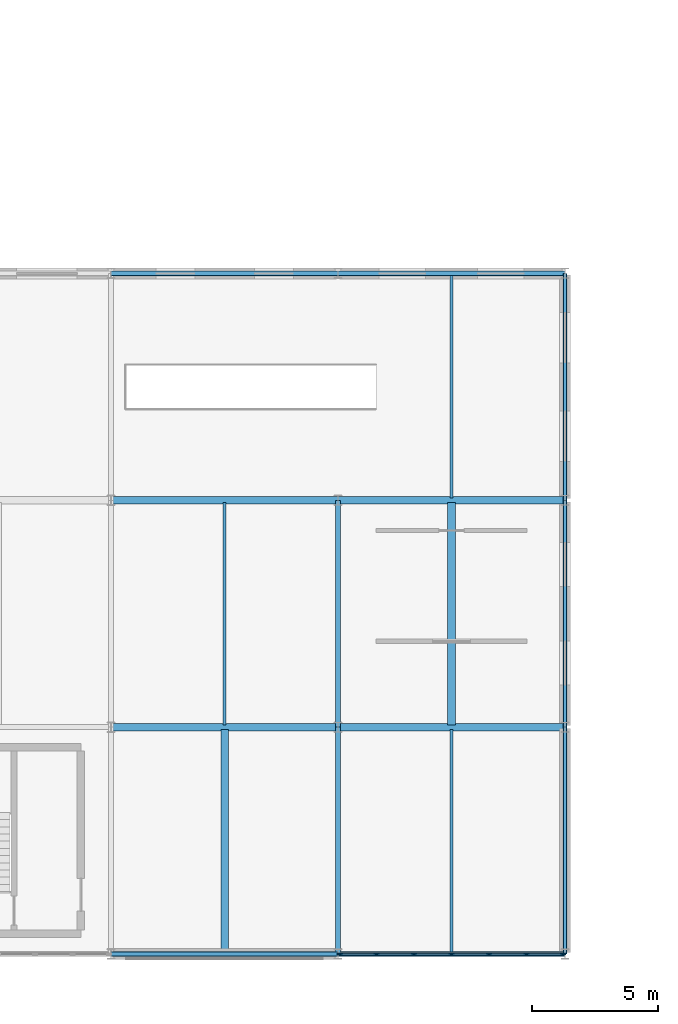
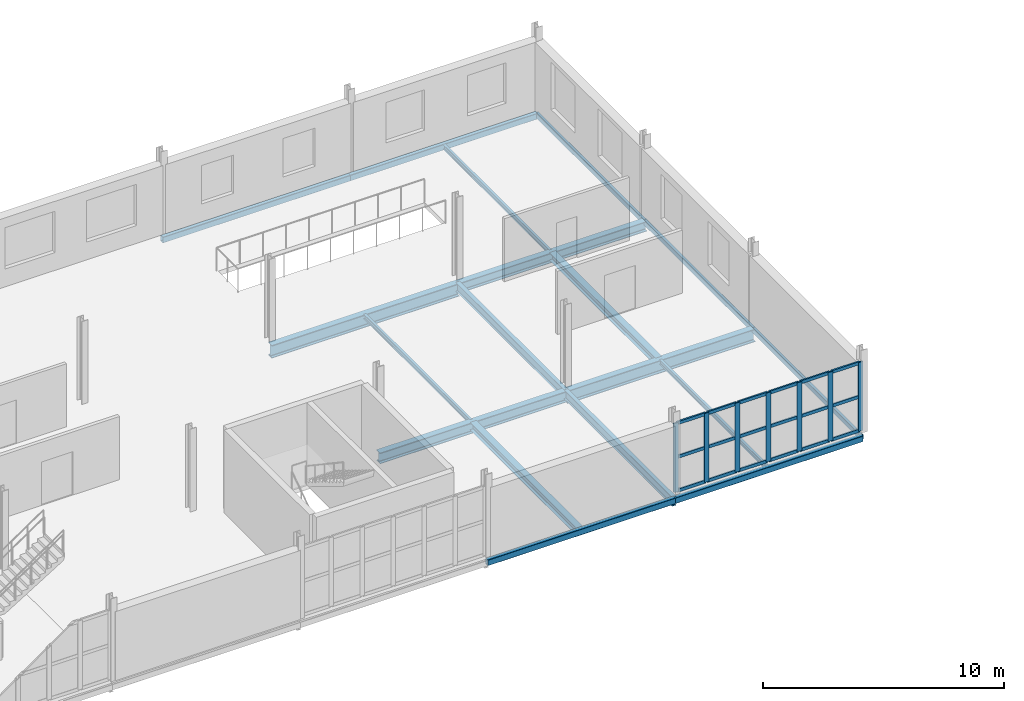
# One storey, part 40 of 161: 25 members, 18 beams, 1 element without a shape of its own.
"""IFC4 building model written with IfcOpenShell, lengths in metres."""

import ifcopenshell
import ifcopenshell.guid

model = None  # the IFC model being written
_history = None  # IfcOwnerHistory: only IFC2X3 demands one
_inside = {}  # id of a spatial element -> (the spatial element, [elements in it])
_under = {}  # id of a project, library or spatial element -> (it, [spatial elements below it])
_declared = {}  # id of a project -> (the project, [libraries it declares])
_typed = {}  # id of a type object -> (the type object, [elements of that type])
_made_of = {}  # id of a material, layer set ... -> (it, [elements and type objects made of it])


def new_model(schema):
    """Start an empty IFC model of exactly this schema.

    Asked for "IFC4X3", IfcOpenShell would pick the latest addendum, in which some entities
    have other attributes; the version numbers below select the first issue.
    IFC2X3 requires an IfcOwnerHistory on every rooted entity: one is made here for all.
    """
    global model, _history
    if schema == "IFC4X3":
        model = ifcopenshell.file(schema_version=(4, 3, 0, 0))
    else:
        model = ifcopenshell.file(schema=schema)
    _inside.clear()
    _under.clear()
    _declared.clear()
    _typed.clear()
    _made_of.clear()
    _history = None
    if model.schema == "IFC2X3":
        org = make("IfcOrganization", Name="unknown")
        user = make(
            "IfcPersonAndOrganization",
            ThePerson=make("IfcPerson", FamilyName="unknown"),
            TheOrganization=org,
        )
        app = make(
            "IfcApplication",
            ApplicationDeveloper=org,
            Version="unknown",
            ApplicationFullName="unknown",
            ApplicationIdentifier="unknown",
        )
        _history = make(
            "IfcOwnerHistory",
            OwningUser=user,
            OwningApplication=app,
            ChangeAction="ADDED",
            CreationDate=0,
        )
    return model


def make(cls, **values):
    """One entity of the class cls with the attributes given. An attribute that is None is left unset."""
    return model.create_entity(
        cls, **{name: value for name, value in values.items() if value is not None}
    )


def rooted(cls, **values):
    """An entity with a GlobalId (a new one), such as an element, a storey or a relation."""
    return make(cls, GlobalId=ifcopenshell.guid.new(), OwnerHistory=_history, **values)


def si_unit(unit_type, name, prefix=None):
    """IfcSIUnit, for example si_unit("LENGTHUNIT", "METRE", prefix="MILLI")."""
    return make("IfcSIUnit", UnitType=unit_type, Prefix=prefix, Name=name)


def assignment(units):
    """IfcUnitAssignment: the units of a project."""
    return None if units is None else make("IfcUnitAssignment", Units=units)


def point(xyz):
    """IfcCartesianPoint."""
    return None if xyz is None else make("IfcCartesianPoint", Coordinates=xyz)


def direction(xyz):
    """IfcDirection."""
    return None if xyz is None else make("IfcDirection", DirectionRatios=xyz)


def frame(location, z_axis=None, x_axis=None):
    """IfcAxis2Placement3D, a coordinate frame: its origin and axes. An axis left out is left unset."""
    return make(
        "IfcAxis2Placement3D",
        Location=point(location),
        Axis=direction(z_axis),
        RefDirection=direction(x_axis),
    )


def frame_2d(location, x_axis=None):
    """IfcAxis2Placement2D, a coordinate frame in the plane: its origin and x axis."""
    return make(
        "IfcAxis2Placement2D", Location=point(location), RefDirection=direction(x_axis)
    )


def origin():
    """The frame at (0, 0, 0) with its axes left unset."""
    return frame((0.0, 0.0, 0.0))


def origin_2d():
    """The frame at (0, 0) in the plane with its x axis left unset."""
    return frame_2d((0.0, 0.0))


def place(relative_to, where):
    """IfcLocalPlacement: puts the frame where relative to a parent placement (None: the world)."""
    return make(
        "IfcLocalPlacement", PlacementRelTo=relative_to, RelativePlacement=where
    )


def context(
    kind, dimensions, precision=None, world=None, true_north=None, identifier=None
):
    """IfcGeometricRepresentationContext, for example the 3D "Model" context."""
    return make(
        "IfcGeometricRepresentationContext",
        ContextIdentifier=identifier,
        ContextType=kind,
        CoordinateSpaceDimension=dimensions,
        Precision=precision,
        WorldCoordinateSystem=world,
        TrueNorth=true_north,
    )


def subcontext(parent, identifier, kind, view, scale=None):
    """IfcGeometricRepresentationSubContext, for example "Body" below "Model"."""
    return make(
        "IfcGeometricRepresentationSubContext",
        ContextIdentifier=identifier,
        ContextType=kind,
        ParentContext=parent,
        TargetScale=scale,
        TargetView=view,
    )


def project(units=None, contexts=None):
    """IfcProject with its units and contexts."""
    return rooted(
        "IfcProject",
        Name="project",
        RepresentationContexts=contexts,
        UnitsInContext=assignment(units),
    )


def spatial(cls, under=None, at=None, **own):
    """A site, building, storey or space (cls), placed at a placement, below another one or the project."""
    s = rooted(cls, ObjectPlacement=at, **own)
    if under is not None:
        _under.setdefault(under.id(), (under, []))[1].append(s)
    return s


def profile(cls, at=None, kind="AREA", **sizes):
    """A parametric profile (cls). Its sizes go by their IFC names, for example OverallWidth=200.0."""
    return make(cls, ProfileType=kind, Position=at, **sizes)


def rectangle(**sizes):
    """IfcRectangleProfileDef."""
    return profile("IfcRectangleProfileDef", **sizes)


def hollow_rectangle(**sizes):
    """IfcRectangleHollowProfileDef."""
    return profile("IfcRectangleHollowProfileDef", **sizes)


def i_section(**sizes):
    """IfcIShapeProfileDef."""
    return profile("IfcIShapeProfileDef", **sizes)


def extrude(swept, where, along, depth):
    """IfcExtrudedAreaSolid: the profile swept, set in the frame where, extruded along a direction by depth."""
    return make(
        "IfcExtrudedAreaSolid",
        SweptArea=swept,
        Position=where,
        ExtrudedDirection=direction(along),
        Depth=depth,
    )


def shape(context_of_items, identifier, shape_type, items):
    """IfcShapeRepresentation: the items that make up one representation, for example the "Body"."""
    return make(
        "IfcShapeRepresentation",
        ContextOfItems=context_of_items,
        RepresentationIdentifier=identifier,
        RepresentationType=shape_type,
        Items=items,
    )


def material(Name=None, Category=None):
    """IfcMaterial."""
    return make("IfcMaterial", Name=Name, Category=Category)


def material_profile(
    of_material, cross_section, Name=None, Category=None, Priority=None
):
    """IfcMaterialProfile: a cross section and its material."""
    return make(
        "IfcMaterialProfile",
        Name=Name,
        Material=of_material,
        Profile=cross_section,
        Priority=Priority,
        Category=Category,
    )


def profile_set(profiles, Name=None, composite=None):
    """IfcMaterialProfileSet."""
    return make(
        "IfcMaterialProfileSet",
        Name=Name,
        MaterialProfiles=profiles,
        CompositeProfile=composite,
    )


def made_of(thing, what):
    """Note that an element or type object is made of a material, layer set ...; save() writes the relation."""
    if what is not None:
        _made_of.setdefault(what.id(), (what, []))[1].append(thing)
    return thing


def type_object(cls, material=None, **own):
    """A type object (cls), such as IfcWallType, which elements share."""
    return made_of(rooted(cls, **own), material)


def element(
    cls,
    number,
    at=None,
    inside=None,
    cuts=None,
    type_object=None,
    material=None,
    context=None,
    identifier="Body",
    shape_type=None,
    held_by="IfcProductDefinitionShape",
    body=None,
    shapes=None,
    **own,
):
    """One element of the class cls, such as IfcWall. Its Tag is "e" and its number.

    at: its placement. inside: the storey or other place that contains it. cuts: it is an
    opening in that element (IfcRelVoidsElement). A single representation is given by context,
    identifier, shape_type and body (its items); several are given by shapes. held_by: the class
    of the entity that holds the representations. save() writes the other relations.
    """
    e = rooted(cls, Tag="e%d" % number, ObjectPlacement=at, **own)
    if body is not None:
        shapes = [shape(context, identifier, shape_type, body)]
    if shapes is not None:
        e.Representation = make(held_by, Representations=shapes)
    if inside is not None:
        _inside.setdefault(inside.id(), (inside, []))[1].append(e)
    if cuts is not None:
        rooted(
            "IfcRelVoidsElement", RelatingBuildingElement=cuts, RelatedOpeningElement=e
        )
    if type_object is not None:
        _typed.setdefault(type_object.id(), (type_object, []))[1].append(e)
    return made_of(e, material)


def aggregate(whole, parts):
    """IfcRelAggregates: a whole, such as a stair, and the parts it consists of."""
    return rooted("IfcRelAggregates", RelatingObject=whole, RelatedObjects=parts)


def save(model, path):
    """Write the relations noted so far, then the file.

    IfcRelAggregates (storeys below a building ...), IfcRelContainedInSpatialStructure (elements
    in a storey), IfcRelDefinesByType, IfcRelAssociatesMaterial and IfcRelDeclares: one each for
    every whole, place, type object, material and project.
    """
    for whole, parts in _under.values():
        aggregate(whole, parts)
    for where, things in _inside.values():
        rooted(
            "IfcRelContainedInSpatialStructure",
            RelatedElements=things,
            RelatingStructure=where,
        )
    for kind, things in _typed.values():
        rooted("IfcRelDefinesByType", RelatedObjects=things, RelatingType=kind)
    for what, things in _made_of.values():
        rooted("IfcRelAssociatesMaterial", RelatedObjects=things, RelatingMaterial=what)
    for by, libraries in _declared.values():
        rooted("IfcRelDeclares", RelatingContext=by, RelatedDefinitions=libraries)
    model.write(path)


model = new_model("IFC4")

# Units and contexts
model_context = context("Model", 3, precision=1e-05, world=origin(), true_north=direction((0.0, 1.0)))
body_context = subcontext(model_context, "Body", "Model", "MODEL_VIEW")
ifc_project = project(units=[si_unit("LENGTHUNIT", "METRE"), si_unit("AREAUNIT", "SQUARE_METRE"), si_unit("VOLUMEUNIT", "CUBIC_METRE"), si_unit("PLANEANGLEUNIT", "RADIAN"), si_unit("MASSUNIT", "GRAM", prefix="KILO")], contexts=[model_context])

# Site, building, storey
site_placement = place(None, origin())
site = spatial("IfcSite", under=ifc_project, at=site_placement, CompositionType="ELEMENT")
building_placement = place(site_placement, origin())
building = spatial("IfcBuilding", under=site, at=building_placement, Name="Kildeholm Park Wholesale Market", CompositionType="ELEMENT")
storey_placement = place(building_placement, frame((0.0, 0.0, 5.39990234375)))
storey = spatial("IfcBuildingStorey", under=building, at=storey_placement, Name="L01", CompositionType="ELEMENT", Elevation=5.39990234375)

# Beams
ifc_material_1 = material(Name="Steel S355", Category="steel")
ifc_material_profile_1 = material_profile(ifc_material_1, i_section(OverallWidth=0.18994140625, OverallDepth=0.449951171875, WebThickness=0.009521484375, FlangeThickness=0.0146484375, FilletRadius=0.02099609375, at=origin_2d()), Name="IPE 450")
ifc_profile_set_1 = profile_set([ifc_material_profile_1], Name="Steel S355")
beam_type_1 = type_object("IfcBeamType", Name="Beam B-P02 IPE 450", PredefinedType="BEAM", material=ifc_profile_set_1)
for number, where, z_axis, x_axis, name in (
    (1, (72.0, 0.0, -0.46484375), (0.0, 1.0, 0.0), (-1.0, 0.0, 0.0), "Beam BM-V5W-L01-Y-072-000 BM-1333"),
    (2, (72.0, 9.0, -0.46484375), (0.0, 1.0, 0.0), (-1.0, 0.0, 0.0), "Beam BM-V5W-L01-Y-072-009 BM-1336"),
):
    element("IfcBeam", number, at=place(storey_placement, frame(where, z_axis=z_axis, x_axis=x_axis)), inside=storey, type_object=beam_type_1, Name=name, PredefinedType="BEAM", context=body_context, shape_type="SweptSolid", body=[
        extrude(i_section(OverallWidth=0.18994140625, OverallDepth=0.449951171875, WebThickness=0.009521484375, FlangeThickness=0.0146484375, FilletRadius=0.02099609375, at=origin_2d()), origin(), (0.0, 0.0, 1.0), 9.0),
    ])
ifc_material_profile_2 = material_profile(ifc_material_1, i_section(OverallWidth=0.300048828125, OverallDepth=0.550048828125, WebThickness=0.014892578125, FlangeThickness=0.029052734375, FilletRadius=0.027099609375, at=origin_2d()), Name="HEB 550")
ifc_profile_set_2 = profile_set([ifc_material_profile_2], Name="Steel S355")
beam_type_2 = type_object("IfcBeamType", Name="Beam B-X03 HEB 550", PredefinedType="BEAM", material=ifc_profile_set_2)
beam_1_placement = place(storey_placement, frame((63.0, 9.0, -0.514892578125), z_axis=(1.0, 0.0, 0.0), x_axis=(0.0, 1.0, 0.0)))
element("IfcBeam", 3, at=beam_1_placement, inside=storey, type_object=beam_type_2, Name="Beam BM-V5W-L01-X-063-009 BM-1326", PredefinedType="BEAM", context=body_context, shape_type="SweptSolid", body=[
    extrude(i_section(OverallWidth=0.300048828125, OverallDepth=0.550048828125, WebThickness=0.014892578125, FlangeThickness=0.029052734375, FilletRadius=0.027099609375, at=origin_2d()), origin(), (0.0, 0.0, 1.0), 9.0),
])
ifc_material_profile_3 = material_profile(ifc_material_1, i_section(OverallWidth=0.300048828125, OverallDepth=0.64990234375, WebThickness=0.01611328125, FlangeThickness=0.031005859375, FilletRadius=0.027099609375, at=origin_2d()), Name="HEB 650")
ifc_profile_set_3 = profile_set([ifc_material_profile_3], Name="Steel S355")
beam_type_3 = type_object("IfcBeamType", Name="Beam B-X04 HEB 650", PredefinedType="BEAM", material=ifc_profile_set_3)
for number, where, z_axis, x_axis, name in (
    (4, (63.0, 18.0, -0.56494140625), (1.0, 0.0, 0.0), (0.0, 1.0, 0.0), "Beam BM-V5W-L01-X-063-018 BM-1329"),
    (5, (72.0, 9.0, -0.56494140625), (1.0, 0.0, 0.0), (0.0, 1.0, 0.0), "Beam BM-V5W-L01-X-072-009 BM-1335"),
):
    element("IfcBeam", number, at=place(storey_placement, frame(where, z_axis=z_axis, x_axis=x_axis)), inside=storey, type_object=beam_type_3, Name=name, PredefinedType="BEAM", context=body_context, shape_type="SweptSolid", body=[
        extrude(i_section(OverallWidth=0.300048828125, OverallDepth=0.64990234375, WebThickness=0.01611328125, FlangeThickness=0.031005859375, FilletRadius=0.027099609375, at=origin_2d()), origin(), (0.0, 0.0, 1.0), 9.0),
    ])
ifc_material_profile_4 = material_profile(ifc_material_1, i_section(OverallWidth=0.300048828125, OverallDepth=0.5, WebThickness=0.014404296875, FlangeThickness=0.028076171875, FilletRadius=0.027099609375, at=origin_2d()), Name="HEB 500")
ifc_profile_set_4 = profile_set([ifc_material_profile_4], Name="Steel S355")
beam_type_4 = type_object("IfcBeamType", Name="Beam B-X05 HEB 500", PredefinedType="BEAM", material=ifc_profile_set_4)
beam_2_placement = place(storey_placement, frame((72.0, 18.0, -0.489990234375), z_axis=(1.0, 0.0, 0.0), x_axis=(0.0, 1.0, 0.0)))
element("IfcBeam", 6, at=beam_2_placement, inside=storey, type_object=beam_type_4, Name="Beam BM-V5W-L01-X-072-018 BM-1338", PredefinedType="BEAM", context=body_context, shape_type="SweptSolid", body=[
    extrude(i_section(OverallWidth=0.300048828125, OverallDepth=0.5, WebThickness=0.014404296875, FlangeThickness=0.028076171875, FilletRadius=0.027099609375, at=origin_2d()), origin(), (0.0, 0.0, 1.0), 9.0),
])
ifc_material_profile_5 = material_profile(ifc_material_1, i_section(OverallWidth=0.1201171875, OverallDepth=0.239990234375, WebThickness=0.006103515625, FlangeThickness=0.009765625, FilletRadius=0.014892578125, at=origin_2d()), Name="IPE 240")
ifc_profile_set_5 = profile_set([ifc_material_profile_5], Name="Steel S355")
beam_type_5 = type_object("IfcBeamType", Name="Beam J-01 IPE 240", PredefinedType="JOIST", material=ifc_profile_set_5)
for number, where, z_axis, x_axis, name in (
    (7, (67.5, 9.0849609375, -0.35986328125), (0.0, 1.0, 0.0), (-1.0, 0.0, 0.0), "Beam JT-V5W-L01-063-009 BM-1328"),
    (8, (76.5, 0.0849609375, -0.35986328125), (0.0, 1.0, 0.0), (-1.0, 0.0, 0.0), "Beam JT-V5W-L01-072-000 BM-1334"),
    (9, (76.5, 18.0849609375, -0.35986328125), (0.0, 1.0, 0.0), (-1.0, 0.0, 0.0), "Beam JT-V5W-L01-072-018 BM-1339"),
):
    element("IfcBeam", number, at=place(storey_placement, frame(where, z_axis=z_axis, x_axis=x_axis)), inside=storey, type_object=beam_type_5, Name=name, PredefinedType="JOIST", context=body_context, shape_type="SweptSolid", body=[
        extrude(i_section(OverallWidth=0.1201171875, OverallDepth=0.239990234375, WebThickness=0.006103515625, FlangeThickness=0.009765625, FilletRadius=0.014892578125, at=origin_2d()), origin(), (0.0, 0.0, 1.0), 8.830078125),
    ])
ifc_material_profile_6 = material_profile(ifc_material_1, i_section(OverallWidth=0.300048828125, OverallDepth=0.389892578125, WebThickness=0.010986328125, FlangeThickness=0.01904296875, FilletRadius=0.027099609375, at=origin_2d()), Name="HEA 400")
ifc_profile_set_6 = profile_set([ifc_material_profile_6], Name="Steel S355")
beam_type_6 = type_object("IfcBeamType", Name="Beam J-06 HEA 400", PredefinedType="JOIST", material=ifc_profile_set_6)
for number, where, z_axis, x_axis, name in (
    (10, (67.5, 0.0849609375, -0.434814453125), (0.0, 1.0, 0.0), (-1.0, 0.0, 0.0), "Beam JT-V5W-L01-063-000 BM-1325"),
    (11, (76.5, 9.0849609375, -0.434814453125), (0.0, 1.0, 0.0), (-1.0, 0.0, 0.0), "Beam JT-V5W-L01-072-009 BM-1337"),
):
    element("IfcBeam", number, at=place(storey_placement, frame(where, z_axis=z_axis, x_axis=x_axis)), inside=storey, type_object=beam_type_6, Name=name, PredefinedType="JOIST", context=body_context, shape_type="SweptSolid", body=[
        extrude(i_section(OverallWidth=0.300048828125, OverallDepth=0.389892578125, WebThickness=0.010986328125, FlangeThickness=0.01904296875, FilletRadius=0.027099609375, at=origin_2d()), origin(), (0.0, 0.0, 1.0), 8.830078125),
    ])
ifc_material_profile_7 = material_profile(ifc_material_1, hollow_rectangle(XDim=0.199951171875, YDim=0.300048828125, WallThickness=0.012451171875, InnerFilletRadius=0.012451171875, OuterFilletRadius=0.02490234375, at=origin_2d()), Name="RHS 300x200x12.5")
ifc_profile_set_7 = profile_set([ifc_material_profile_7], Name="Steel S355")
beam_type_7 = type_object("IfcBeamType", Name="Beam SP-01 RHS 300x200x12.5", PredefinedType="SPANDREL", material=ifc_profile_set_7)
for number, where, z_axis, x_axis, name in (
    (12, (63.0, 0.0, -0.389892578125), (1.0, 0.0, 0.0), (0.0, 1.0, 0.0), "Beam BM-V5W-L01-X-063-000 BM-1323"),
    (13, (63.0, 27.0, -0.389892578125), (1.0, 0.0, 0.0), (0.0, 1.0, 0.0), "Beam BM-V5W-L01-X-063-027 BM-1331"),
    (14, (72.0, 0.0, -0.389892578125), (1.0, 0.0, 0.0), (0.0, 1.0, 0.0), "Beam BM-V5W-L01-X-072-000 BM-1332"),
    (15, (72.0, 27.0, -0.389892578125), (1.0, 0.0, 0.0), (0.0, 1.0, 0.0), "Beam BM-V5W-L01-X-072-027 BM-1340"),
):
    element("IfcBeam", number, at=place(storey_placement, frame(where, z_axis=z_axis, x_axis=x_axis)), inside=storey, type_object=beam_type_7, Name=name, PredefinedType="SPANDREL", context=body_context, shape_type="SweptSolid", body=[
        extrude(hollow_rectangle(XDim=0.199951171875, YDim=0.300048828125, WallThickness=0.012451171875, InnerFilletRadius=0.012451171875, OuterFilletRadius=0.02490234375, at=origin_2d()), origin(), (0.0, 0.0, 1.0), 9.0),
    ])
ifc_material_profile_8 = material_profile(ifc_material_1, hollow_rectangle(XDim=0.14990234375, YDim=0.25, WallThickness=0.010009765625, InnerFilletRadius=0.010009765625, OuterFilletRadius=0.02001953125, at=origin_2d()), Name="RHS 250x150x10")
ifc_profile_set_8 = profile_set([ifc_material_profile_8], Name="Steel S355")
beam_type_8 = type_object("IfcBeamType", Name="Beam SP-02 RHS 250x150x10", PredefinedType="SPANDREL", material=ifc_profile_set_8)
for number, where, z_axis, x_axis, name in (
    (16, (81.0, 0.0, -0.364990234375), (0.0, 1.0, 0.0), (-1.0, 0.0, 0.0), "Beam BM-V5W-L01-Y-081-000 BM-1341"),
    (17, (81.0, 9.0, -0.364990234375), (0.0, 1.0, 0.0), (-1.0, 0.0, 0.0), "Beam BM-V5W-L01-Y-081-009 BM-1342"),
    (18, (81.0, 18.0, -0.364990234375), (0.0, 1.0, 0.0), (-1.0, 0.0, 0.0), "Beam BM-V5W-L01-Y-081-018 BM-1343"),
):
    element("IfcBeam", number, at=place(storey_placement, frame(where, z_axis=z_axis, x_axis=x_axis)), inside=storey, type_object=beam_type_8, Name=name, PredefinedType="SPANDREL", context=body_context, shape_type="SweptSolid", body=[
        extrude(hollow_rectangle(XDim=0.14990234375, YDim=0.25, WallThickness=0.010009765625, InnerFilletRadius=0.010009765625, OuterFilletRadius=0.02001953125, at=origin_2d()), origin(), (0.0, 0.0, 1.0), 9.0),
    ])

# Curtain wall, members
ifc_material_2 = material(Name="Anodised aluminium and low-E double-glazed glass", Category="aluminium")
curtain_wall_type = type_object("IfcCurtainWallType", Name="Park wing thermally broken curtain wall CW-03", PredefinedType="NOTDEFINED", material=ifc_material_2)
curtain_wall_placement = place(storey_placement, origin())
curtain_wall = element("IfcCurtainWall", 19, at=curtain_wall_placement, inside=storey, type_object=curtain_wall_type, Name="Curtain wall CW-V5W-L01-S-08 CW-0146", PredefinedType="NOTDEFINED")
ifc_material_3 = material(Name="Anodised aluminium", Category="aluminium")
ifc_material_profile_9 = material_profile(ifc_material_3, rectangle(XDim=0.074951171875, YDim=0.219970703125, at=origin_2d()), Name="CWM 75x220")
ifc_profile_set_9 = profile_set([ifc_material_profile_9], Name="Anodised aluminium")
member_type_1 = type_object("IfcMemberType", Name="Curtain-wall mullion CWM-2 CWM 75x220", PredefinedType="MULLION", material=ifc_profile_set_9)
member_1_placement = place(storey_placement, frame((72.077392578125, 0.0, 0.0), z_axis=(0.0, 0.0, 1.0), x_axis=(0.0, 1.0, 0.0)))
member_1 = element("IfcMember", 20, at=member_1_placement, type_object=member_type_1, Name="CW-03 mullion 1 MEM-4515", PredefinedType="MULLION", context=body_context, shape_type="SweptSolid", body=[
    extrude(rectangle(XDim=0.074951171875, YDim=0.219970703125, at=origin_2d()), origin(), (0.0, 0.0, 1.0), 3.5),
])
member_2_placement = place(storey_placement, frame((73.526611328125, 0.0, 0.0), z_axis=(0.0, 0.0, 1.0), x_axis=(0.0, 1.0, 0.0)))
member_2 = element("IfcMember", 21, at=member_2_placement, type_object=member_type_1, Name="CW-03 mullion 2 MEM-4516", PredefinedType="MULLION", context=body_context, shape_type="SweptSolid", body=[
    extrude(rectangle(XDim=0.074951171875, YDim=0.219970703125, at=origin_2d()), origin(), (0.0, 0.0, 1.0), 3.5),
])
member_3_placement = place(storey_placement, frame((75.013427734375, 0.0, 0.0), z_axis=(0.0, 0.0, 1.0), x_axis=(0.0, 1.0, 0.0)))
member_3 = element("IfcMember", 22, at=member_3_placement, type_object=member_type_1, Name="CW-03 mullion 3 MEM-4517", PredefinedType="MULLION", context=body_context, shape_type="SweptSolid", body=[
    extrude(rectangle(XDim=0.074951171875, YDim=0.219970703125, at=origin_2d()), origin(), (0.0, 0.0, 1.0), 3.5),
])
member_4_placement = place(storey_placement, frame((76.5, 0.0, 0.0), z_axis=(0.0, 0.0, 1.0), x_axis=(0.0, 1.0, 0.0)))
member_4 = element("IfcMember", 23, at=member_4_placement, type_object=member_type_1, Name="CW-03 mullion 4 MEM-4518", PredefinedType="MULLION", context=body_context, shape_type="SweptSolid", body=[
    extrude(rectangle(XDim=0.074951171875, YDim=0.219970703125, at=origin_2d()), origin(), (0.0, 0.0, 1.0), 3.5),
])
member_5_placement = place(storey_placement, frame((77.986572265625, 0.0, 0.0), z_axis=(0.0, 0.0, 1.0), x_axis=(0.0, 1.0, 0.0)))
member_5 = element("IfcMember", 24, at=member_5_placement, type_object=member_type_1, Name="CW-03 mullion 5 MEM-4519", PredefinedType="MULLION", context=body_context, shape_type="SweptSolid", body=[
    extrude(rectangle(XDim=0.074951171875, YDim=0.219970703125, at=origin_2d()), origin(), (0.0, 0.0, 1.0), 3.5),
])
member_6_placement = place(storey_placement, frame((79.473388671875, 0.0, 0.0), z_axis=(0.0, 0.0, 1.0), x_axis=(0.0, 1.0, 0.0)))
member_6 = element("IfcMember", 25, at=member_6_placement, type_object=member_type_1, Name="CW-03 mullion 6 MEM-4520", PredefinedType="MULLION", context=body_context, shape_type="SweptSolid", body=[
    extrude(rectangle(XDim=0.074951171875, YDim=0.219970703125, at=origin_2d()), origin(), (0.0, 0.0, 1.0), 3.5),
])
member_7_placement = place(storey_placement, frame((80.922607421875, 0.0, 0.0), z_axis=(0.0, 0.0, 1.0), x_axis=(0.0, 1.0, 0.0)))
member_7 = element("IfcMember", 26, at=member_7_placement, type_object=member_type_1, Name="CW-03 mullion 7 MEM-4521", PredefinedType="MULLION", context=body_context, shape_type="SweptSolid", body=[
    extrude(rectangle(XDim=0.074951171875, YDim=0.219970703125, at=origin_2d()), origin(), (0.0, 0.0, 1.0), 3.5),
])
ifc_material_profile_10 = material_profile(ifc_material_3, rectangle(XDim=0.074951171875, YDim=0.159912109375, at=origin_2d()), Name="CWT 75x160")
ifc_profile_set_10 = profile_set([ifc_material_profile_10], Name="Anodised aluminium")
member_type_2 = type_object("IfcMemberType", Name="Curtain-wall transom CWT-2 CWT 75x160", PredefinedType="USERDEFINED", material=ifc_profile_set_10)
member_8_placement = place(storey_placement, frame((72.114990234375, 0.0, 0.03759765625), z_axis=(1.0, 0.0, 0.0), x_axis=(0.0, 1.0, 0.0)))
member_8 = element("IfcMember", 27, at=member_8_placement, type_object=member_type_2, Name="CW-03 transom 1.1 MEM-4522", ObjectType="TRANSOM", PredefinedType="USERDEFINED", context=body_context, shape_type="SweptSolid", body=[
    extrude(rectangle(XDim=0.074951171875, YDim=0.159912109375, at=origin_2d()), origin(), (0.0, 0.0, 1.0), 1.374267578125),
])
member_9_placement = place(storey_placement, frame((72.114990234375, 0.0, 1.75), z_axis=(1.0, 0.0, 0.0), x_axis=(0.0, 1.0, 0.0)))
member_9 = element("IfcMember", 28, at=member_9_placement, type_object=member_type_2, Name="CW-03 transom 1.2 MEM-4523", ObjectType="TRANSOM", PredefinedType="USERDEFINED", context=body_context, shape_type="SweptSolid", body=[
    extrude(rectangle(XDim=0.074951171875, YDim=0.159912109375, at=origin_2d()), origin(), (0.0, 0.0, 1.0), 1.374267578125),
])
member_10_placement = place(storey_placement, frame((72.114990234375, 0.0, 3.462646484375), z_axis=(1.0, 0.0, 0.0), x_axis=(0.0, 1.0, 0.0)))
member_10 = element("IfcMember", 29, at=member_10_placement, type_object=member_type_2, Name="CW-03 transom 1.3 MEM-4524", ObjectType="TRANSOM", PredefinedType="USERDEFINED", context=body_context, shape_type="SweptSolid", body=[
    extrude(rectangle(XDim=0.074951171875, YDim=0.159912109375, at=origin_2d()), origin(), (0.0, 0.0, 1.0), 1.374267578125),
])
member_11_placement = place(storey_placement, frame((73.564208984375, 0.0, 0.03759765625), z_axis=(1.0, 0.0, 0.0), x_axis=(0.0, 1.0, 0.0)))
member_11 = element("IfcMember", 30, at=member_11_placement, type_object=member_type_2, Name="CW-03 transom 2.1 MEM-4525", ObjectType="TRANSOM", PredefinedType="USERDEFINED", context=body_context, shape_type="SweptSolid", body=[
    extrude(rectangle(XDim=0.074951171875, YDim=0.159912109375, at=origin_2d()), origin(), (0.0, 0.0, 1.0), 1.41162109375),
])
member_12_placement = place(storey_placement, frame((73.564208984375, 0.0, 1.75), z_axis=(1.0, 0.0, 0.0), x_axis=(0.0, 1.0, 0.0)))
member_12 = element("IfcMember", 31, at=member_12_placement, type_object=member_type_2, Name="CW-03 transom 2.2 MEM-4526", ObjectType="TRANSOM", PredefinedType="USERDEFINED", context=body_context, shape_type="SweptSolid", body=[
    extrude(rectangle(XDim=0.074951171875, YDim=0.159912109375, at=origin_2d()), origin(), (0.0, 0.0, 1.0), 1.41162109375),
])
member_13_placement = place(storey_placement, frame((73.564208984375, 0.0, 3.462646484375), z_axis=(1.0, 0.0, 0.0), x_axis=(0.0, 1.0, 0.0)))
member_13 = element("IfcMember", 32, at=member_13_placement, type_object=member_type_2, Name="CW-03 transom 2.3 MEM-4527", ObjectType="TRANSOM", PredefinedType="USERDEFINED", context=body_context, shape_type="SweptSolid", body=[
    extrude(rectangle(XDim=0.074951171875, YDim=0.159912109375, at=origin_2d()), origin(), (0.0, 0.0, 1.0), 1.41162109375),
])
member_14_placement = place(storey_placement, frame((75.05078125, 0.0, 0.03759765625), z_axis=(1.0, 0.0, 0.0), x_axis=(0.0, 1.0, 0.0)))
member_14 = element("IfcMember", 33, at=member_14_placement, type_object=member_type_2, Name="CW-03 transom 3.1 MEM-4528", ObjectType="TRANSOM", PredefinedType="USERDEFINED", context=body_context, shape_type="SweptSolid", body=[
    extrude(rectangle(XDim=0.074951171875, YDim=0.159912109375, at=origin_2d()), origin(), (0.0, 0.0, 1.0), 1.41162109375),
])
member_15_placement = place(storey_placement, frame((75.05078125, 0.0, 1.75), z_axis=(1.0, 0.0, 0.0), x_axis=(0.0, 1.0, 0.0)))
member_15 = element("IfcMember", 34, at=member_15_placement, type_object=member_type_2, Name="CW-03 transom 3.2 MEM-4529", ObjectType="TRANSOM", PredefinedType="USERDEFINED", context=body_context, shape_type="SweptSolid", body=[
    extrude(rectangle(XDim=0.074951171875, YDim=0.159912109375, at=origin_2d()), origin(), (0.0, 0.0, 1.0), 1.41162109375),
])
member_16_placement = place(storey_placement, frame((75.05078125, 0.0, 3.462646484375), z_axis=(1.0, 0.0, 0.0), x_axis=(0.0, 1.0, 0.0)))
member_16 = element("IfcMember", 35, at=member_16_placement, type_object=member_type_2, Name="CW-03 transom 3.3 MEM-4530", ObjectType="TRANSOM", PredefinedType="USERDEFINED", context=body_context, shape_type="SweptSolid", body=[
    extrude(rectangle(XDim=0.074951171875, YDim=0.159912109375, at=origin_2d()), origin(), (0.0, 0.0, 1.0), 1.41162109375),
])
member_17_placement = place(storey_placement, frame((76.53759765625, 0.0, 0.03759765625), z_axis=(1.0, 0.0, 0.0), x_axis=(0.0, 1.0, 0.0)))
member_17 = element("IfcMember", 36, at=member_17_placement, type_object=member_type_2, Name="CW-03 transom 4.1 MEM-4531", ObjectType="TRANSOM", PredefinedType="USERDEFINED", context=body_context, shape_type="SweptSolid", body=[
    extrude(rectangle(XDim=0.074951171875, YDim=0.159912109375, at=origin_2d()), origin(), (0.0, 0.0, 1.0), 1.41162109375),
])
member_18_placement = place(storey_placement, frame((76.53759765625, 0.0, 1.75), z_axis=(1.0, 0.0, 0.0), x_axis=(0.0, 1.0, 0.0)))
member_18 = element("IfcMember", 37, at=member_18_placement, type_object=member_type_2, Name="CW-03 transom 4.2 MEM-4532", ObjectType="TRANSOM", PredefinedType="USERDEFINED", context=body_context, shape_type="SweptSolid", body=[
    extrude(rectangle(XDim=0.074951171875, YDim=0.159912109375, at=origin_2d()), origin(), (0.0, 0.0, 1.0), 1.41162109375),
])
member_19_placement = place(storey_placement, frame((76.53759765625, 0.0, 3.462646484375), z_axis=(1.0, 0.0, 0.0), x_axis=(0.0, 1.0, 0.0)))
member_19 = element("IfcMember", 38, at=member_19_placement, type_object=member_type_2, Name="CW-03 transom 4.3 MEM-4533", ObjectType="TRANSOM", PredefinedType="USERDEFINED", context=body_context, shape_type="SweptSolid", body=[
    extrude(rectangle(XDim=0.074951171875, YDim=0.159912109375, at=origin_2d()), origin(), (0.0, 0.0, 1.0), 1.41162109375),
])
member_20_placement = place(storey_placement, frame((78.024169921875, 0.0, 0.03759765625), z_axis=(1.0, 0.0, 0.0), x_axis=(0.0, 1.0, 0.0)))
member_20 = element("IfcMember", 39, at=member_20_placement, type_object=member_type_2, Name="CW-03 transom 5.1 MEM-4534", ObjectType="TRANSOM", PredefinedType="USERDEFINED", context=body_context, shape_type="SweptSolid", body=[
    extrude(rectangle(XDim=0.074951171875, YDim=0.159912109375, at=origin_2d()), origin(), (0.0, 0.0, 1.0), 1.41162109375),
])
member_21_placement = place(storey_placement, frame((78.024169921875, 0.0, 1.75), z_axis=(1.0, 0.0, 0.0), x_axis=(0.0, 1.0, 0.0)))
member_21 = element("IfcMember", 40, at=member_21_placement, type_object=member_type_2, Name="CW-03 transom 5.2 MEM-4535", ObjectType="TRANSOM", PredefinedType="USERDEFINED", context=body_context, shape_type="SweptSolid", body=[
    extrude(rectangle(XDim=0.074951171875, YDim=0.159912109375, at=origin_2d()), origin(), (0.0, 0.0, 1.0), 1.41162109375),
])
member_22_placement = place(storey_placement, frame((78.024169921875, 0.0, 3.462646484375), z_axis=(1.0, 0.0, 0.0), x_axis=(0.0, 1.0, 0.0)))
member_22 = element("IfcMember", 41, at=member_22_placement, type_object=member_type_2, Name="CW-03 transom 5.3 MEM-4536", ObjectType="TRANSOM", PredefinedType="USERDEFINED", context=body_context, shape_type="SweptSolid", body=[
    extrude(rectangle(XDim=0.074951171875, YDim=0.159912109375, at=origin_2d()), origin(), (0.0, 0.0, 1.0), 1.41162109375),
])
member_23_placement = place(storey_placement, frame((79.5107421875, 0.0, 0.03759765625), z_axis=(1.0, 0.0, 0.0), x_axis=(0.0, 1.0, 0.0)))
member_23 = element("IfcMember", 42, at=member_23_placement, type_object=member_type_2, Name="CW-03 transom 6.1 MEM-4537", ObjectType="TRANSOM", PredefinedType="USERDEFINED", context=body_context, shape_type="SweptSolid", body=[
    extrude(rectangle(XDim=0.074951171875, YDim=0.159912109375, at=origin_2d()), origin(), (0.0, 0.0, 1.0), 1.374267578125),
])
member_24_placement = place(storey_placement, frame((79.5107421875, 0.0, 1.75), z_axis=(1.0, 0.0, 0.0), x_axis=(0.0, 1.0, 0.0)))
member_24 = element("IfcMember", 43, at=member_24_placement, type_object=member_type_2, Name="CW-03 transom 6.2 MEM-4538", ObjectType="TRANSOM", PredefinedType="USERDEFINED", context=body_context, shape_type="SweptSolid", body=[
    extrude(rectangle(XDim=0.074951171875, YDim=0.159912109375, at=origin_2d()), origin(), (0.0, 0.0, 1.0), 1.374267578125),
])
member_25_placement = place(storey_placement, frame((79.5107421875, 0.0, 3.462646484375), z_axis=(1.0, 0.0, 0.0), x_axis=(0.0, 1.0, 0.0)))
member_25 = element("IfcMember", 44, at=member_25_placement, type_object=member_type_2, Name="CW-03 transom 6.3 MEM-4539", ObjectType="TRANSOM", PredefinedType="USERDEFINED", context=body_context, shape_type="SweptSolid", body=[
    extrude(rectangle(XDim=0.074951171875, YDim=0.159912109375, at=origin_2d()), origin(), (0.0, 0.0, 1.0), 1.374267578125),
])
aggregate(curtain_wall, [member_1, member_2, member_3, member_4, member_5, member_6, member_7, member_8, member_9, member_10, member_11, member_12, member_13, member_14, member_15, member_16, member_17, member_18, member_19, member_20, member_21, member_22, member_23, member_24, member_25])

save(model, "model.ifc")
